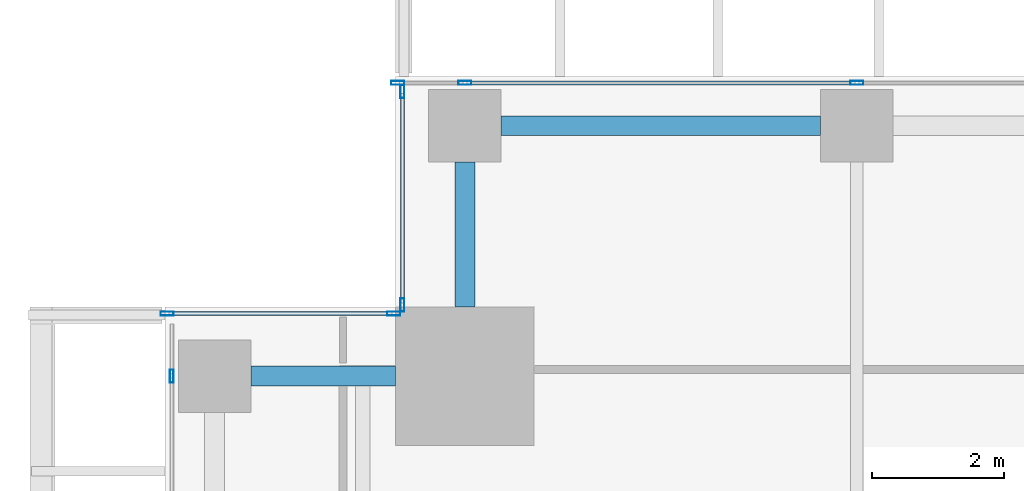
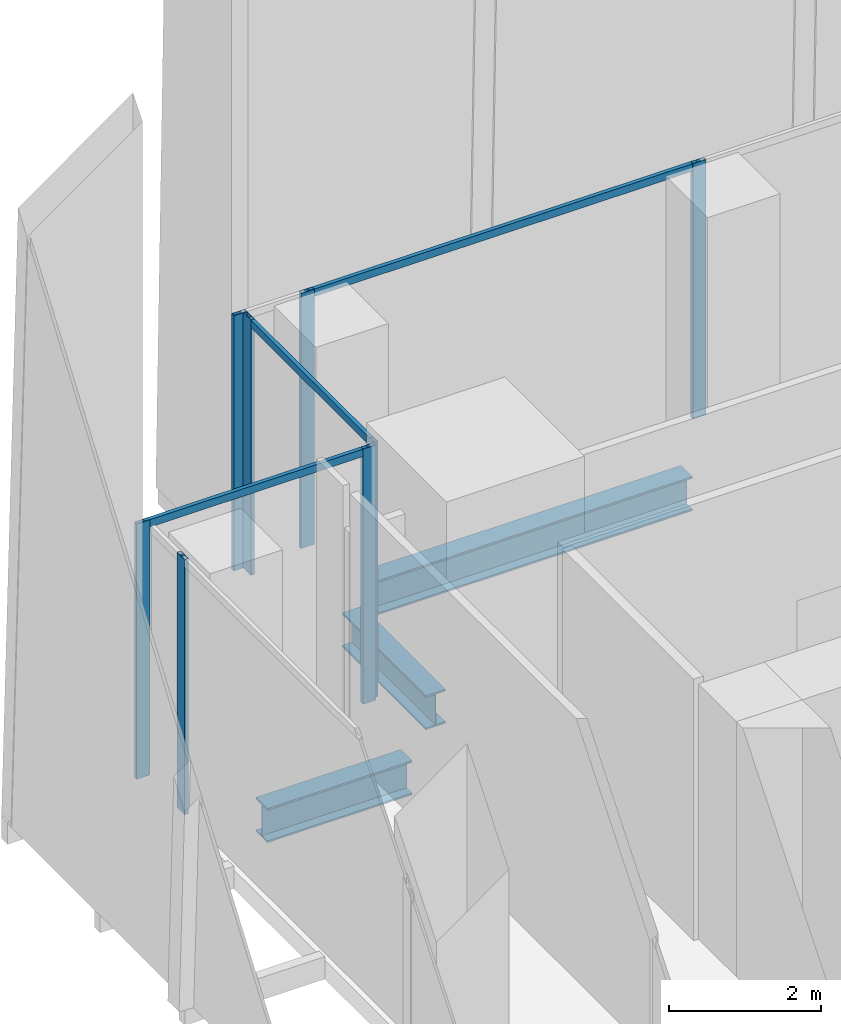
# One storey, part 14 of 35: 11 members, 3 beams, 4 elements without a shape of their own.
"""IFC4 building model written with IfcOpenShell, lengths in metres."""

from ifc_helpers import new_model, si_unit, direction, frame, origin, origin_2d, place, context, subcontext, project, spatial, hollow_rectangle, i_section, extrude, source, transform, mapped, material, material_profile, profile_set, type_object, element, aggregate, save


model = new_model("IFC4")

# Units and contexts
model_context = context("Model", 3, precision=1e-05, world=origin(), true_north=direction((0.0, 1.0)))
body_context = subcontext(model_context, "Body", "Model", "MODEL_VIEW")
ifc_project = project(units=[si_unit("LENGTHUNIT", "METRE"), si_unit("AREAUNIT", "SQUARE_METRE"), si_unit("VOLUMEUNIT", "CUBIC_METRE"), si_unit("PLANEANGLEUNIT", "RADIAN"), si_unit("MASSUNIT", "GRAM", prefix="KILO")], contexts=[model_context])

# Site, building, storey
site_placement = place(None, origin())
site = spatial("IfcSite", under=ifc_project, at=site_placement, CompositionType="ELEMENT")
building_placement = place(site_placement, origin())
building = spatial("IfcBuilding", under=site, at=building_placement, Name="Khomas Fold Tower", CompositionType="ELEMENT")
storey_placement = place(building_placement, frame((0.0, 0.0, 127.89990234375)))
storey = spatial("IfcBuildingStorey", under=building, at=storey_placement, Name="L27", CompositionType="ELEMENT", Elevation=127.89990234375)

# Beams
ifc_material_1 = material(Name="Steel S355", Category="steel")
ifc_material_profile_1 = material_profile(ifc_material_1, i_section(OverallWidth=0.300048828125, OverallDepth=0.550048828125, WebThickness=0.014892578125, FlangeThickness=0.029052734375, at=origin_2d()), Name="HE 550 B")
ifc_profile_set_1 = profile_set([ifc_material_profile_1], Name="Steel S355")
beam_type = type_object("IfcBeamType", Name="HE 550 B spandrel SB2", PredefinedType="SPANDREL", material=ifc_profile_set_1)
shared_shape_1 = source(origin(), body_context, "Body", "SweptSolid", [
    extrude(i_section(OverallWidth=0.300048828125, OverallDepth=0.550048828125, WebThickness=0.014892578125, FlangeThickness=0.029052734375, at=origin_2d()), origin(), (0.0, 0.0, 1.0), 4.849853515625),
])
beam_placement = place(storey_placement, frame((6.60009765625, 51.75, -0.574951171875), z_axis=(1.0, 0.0, 0.0), x_axis=(0.0, 1.0, 0.0)))
element("IfcBeam", 1, at=beam_placement, inside=storey, type_object=beam_type, Name="SB2", PredefinedType="SPANDREL", context=body_context, shape_type="MappedRepresentation", body=[
    mapped(shared_shape_1, transform((0.0, 0.0, 0.0))),
])
shared_shape_2 = source(origin(), body_context, "Body", "SweptSolid", [
    extrude(i_section(OverallWidth=0.300048828125, OverallDepth=0.550048828125, WebThickness=0.014892578125, FlangeThickness=0.029052734375, at=origin_2d()), origin(), (0.0, 0.0, 1.0), 2.199951171875),
])
for number, where, z_axis, x_axis, name in (
    (2, (6.050048828125, 49.0, -0.574951171875), (0.0, 1.0, 0.0), (-1.0, 0.0, 0.0), "SB2"),
    (3, (2.800048828125, 47.949951171875, -0.574951171875), (1.0, 0.0, 0.0), (0.0, 1.0, 0.0), "SB2"),
):
    element("IfcBeam", number, at=place(storey_placement, frame(where, z_axis=z_axis, x_axis=x_axis)), inside=storey, type_object=beam_type, Name=name, PredefinedType="SPANDREL", context=body_context, shape_type="MappedRepresentation", body=[
        mapped(shared_shape_2, transform((0.0, 0.0, 0.0))),
    ])

# Curtain wall, members
ifc_material_2 = material(Name="Aluminium framed double glazing", Category="aluminium")
curtain_wall_type = type_object("IfcCurtainWallType", Name="SK-Unitised clear-glass wall, growing floors CW1", PredefinedType="NOTDEFINED", material=ifc_material_2)
curtain_wall_1_placement = place(storey_placement, origin())
curtain_wall_1 = element("IfcCurtainWall", 4, at=curtain_wall_1_placement, inside=storey, type_object=curtain_wall_type, Name="CW1 run L27 06-0", PredefinedType="NOTDEFINED")
ifc_material_3 = material(Name="Aluminium", Category="aluminium")
ifc_material_profile_2 = material_profile(ifc_material_3, hollow_rectangle(XDim=0.06005859375, YDim=0.199951171875, WallThickness=0.00390625, at=origin_2d()), Name="SK-Unitised clear-glass wall, growing floors mullion CW1-M")
ifc_profile_set_2 = profile_set([ifc_material_profile_2], Name="Aluminium")
member_type_1 = type_object("IfcMemberType", Name="SK-Unitised clear-glass wall, growing floors mullion CW1-M", PredefinedType="MULLION", material=ifc_profile_set_2)
shared_shape_3 = source(origin(), body_context, "Body", "SweptSolid", [
    extrude(hollow_rectangle(XDim=0.06005859375, YDim=0.199951171875, WallThickness=0.00390625, at=origin_2d()), origin(), (0.0, 0.0, 1.0), 4.10009765625),
])
member_1_placement = place(storey_placement, frame((12.0, 52.39990234375, 0.0), z_axis=(0.0, 0.0, 1.0), x_axis=(0.0, -1.0, 0.0)))
member_1 = element("IfcMember", 5, at=member_1_placement, type_object=member_type_1, Name="CW1 mullion 7", PredefinedType="MULLION", context=body_context, shape_type="MappedRepresentation", body=[
    mapped(shared_shape_3, transform((0.0, 0.0, 0.0))),
])
member_2_placement = place(storey_placement, frame((6.050048828125, 52.39990234375, 0.0), z_axis=(0.0, 0.0, 1.0), x_axis=(0.0, -1.0, 0.0)))
member_2 = element("IfcMember", 6, at=member_2_placement, type_object=member_type_1, Name="CW1 mullion 8", PredefinedType="MULLION", context=body_context, shape_type="MappedRepresentation", body=[
    mapped(shared_shape_3, transform((0.0, 0.0, 0.0))),
])
member_3_placement = place(storey_placement, frame((5.030029296875, 52.39990234375, 0.0), z_axis=(0.0, 0.0, 1.0), x_axis=(0.0, -1.0, 0.0)))
member_3 = element("IfcMember", 7, at=member_3_placement, type_object=member_type_1, Name="CW1 mullion 9", PredefinedType="MULLION", context=body_context, shape_type="MappedRepresentation", body=[
    mapped(shared_shape_3, transform((0.0, 0.0, 0.0))),
])

curtain_wall_2_placement = place(storey_placement, origin())
curtain_wall_2 = element("IfcCurtainWall", 8, at=curtain_wall_2_placement, inside=storey, type_object=curtain_wall_type, Name="CW1 corner return L27 07", PredefinedType="NOTDEFINED")
member_4_placement = place(storey_placement, frame((5.10009765625, 52.27001953125, 0.0), z_axis=(0.0, 0.0, 1.0), x_axis=(1.0, 0.0, 0.0)))
member_4 = element("IfcMember", 9, at=member_4_placement, type_object=member_type_1, Name="CW1 mullion 1", PredefinedType="MULLION", context=body_context, shape_type="MappedRepresentation", body=[
    mapped(shared_shape_3, transform((0.0, 0.0, 0.0))),
])
member_5_placement = place(storey_placement, frame((5.10009765625, 49.030029296875, 0.0), z_axis=(0.0, 0.0, 1.0), x_axis=(1.0, 0.0, 0.0)))
member_5 = element("IfcMember", 10, at=member_5_placement, type_object=member_type_1, Name="CW1 mullion 2", PredefinedType="MULLION", context=body_context, shape_type="MappedRepresentation", body=[
    mapped(shared_shape_3, transform((0.0, 0.0, 0.0))),
])

curtain_wall_3_placement = place(storey_placement, origin())
curtain_wall_3 = element("IfcCurtainWall", 11, at=curtain_wall_3_placement, inside=storey, type_object=curtain_wall_type, Name="CW1 corner return L27 08", PredefinedType="NOTDEFINED")
member_6_placement = place(storey_placement, frame((4.969970703125, 48.89990234375, 0.0), z_axis=(0.0, 0.0, 1.0), x_axis=(0.0, -1.0, 0.0)))
member_6 = element("IfcMember", 12, at=member_6_placement, type_object=member_type_1, Name="CW1 mullion 1", PredefinedType="MULLION", context=body_context, shape_type="MappedRepresentation", body=[
    mapped(shared_shape_3, transform((0.0, 0.0, 0.0))),
])
member_7_placement = place(storey_placement, frame((1.530029296875, 48.89990234375, 0.0), z_axis=(0.0, 0.0, 1.0), x_axis=(0.0, -1.0, 0.0)))
member_7 = element("IfcMember", 13, at=member_7_placement, type_object=member_type_1, Name="CW1 mullion 2", PredefinedType="MULLION", context=body_context, shape_type="MappedRepresentation", body=[
    mapped(shared_shape_3, transform((0.0, 0.0, 0.0))),
])

# Curtain wall, member
curtain_wall_4_placement = place(storey_placement, origin())
curtain_wall_4 = element("IfcCurtainWall", 14, at=curtain_wall_4_placement, inside=storey, type_object=curtain_wall_type, Name="CW1 run L27 09-0", PredefinedType="NOTDEFINED")
member_8_placement = place(storey_placement, frame((1.60009765625, 47.949951171875, 0.0), z_axis=(0.0, 0.0, 1.0), x_axis=(1.0, 0.0, 0.0)))
member_8 = element("IfcMember", 15, at=member_8_placement, type_object=member_type_1, Name="CW1 mullion 2", PredefinedType="MULLION", context=body_context, shape_type="MappedRepresentation", body=[
    mapped(shared_shape_3, transform((0.0, 0.0, 0.0))),
])
aggregate(curtain_wall_4, [member_8])

# Member
ifc_material_4 = material(Name="Aluminium", Category="aluminium")
ifc_material_profile_3 = material_profile(ifc_material_4, hollow_rectangle(XDim=0.06005859375, YDim=0.1201171875, WallThickness=0.00390625, at=origin_2d()), Name="SK-Unitised clear-glass wall, growing floors transom CW1-T")
ifc_profile_set_3 = profile_set([ifc_material_profile_3], Name="Aluminium")
member_type_2 = type_object("IfcMemberType", Name="SK-Unitised clear-glass wall, growing floors transom CW1-T", PredefinedType="USERDEFINED", material=ifc_profile_set_3)
shared_shape_4 = source(origin(), body_context, "Body", "SweptSolid", [
    extrude(hollow_rectangle(XDim=0.06005859375, YDim=0.1201171875, WallThickness=0.00390625, at=origin_2d()), origin(), (0.0, 0.0, 1.0), 5.889892578125),
])
member_9_placement = place(storey_placement, frame((11.969970703125, 52.39990234375, 4.0400390625), z_axis=(-1.0, 0.0, 0.0), x_axis=(0.0, -1.0, 0.0)))
member_9 = element("IfcMember", 16, at=member_9_placement, type_object=member_type_2, Name="CW1 transom 7", ObjectType="TRANSOM", PredefinedType="USERDEFINED", context=body_context, shape_type="MappedRepresentation", body=[
    mapped(shared_shape_4, transform((0.0, 0.0, 0.0))),
])

aggregate(curtain_wall_1, [member_1, member_2, member_3, member_9])

shared_shape_5 = source(origin(), body_context, "Body", "SweptSolid", [
    extrude(hollow_rectangle(XDim=0.06005859375, YDim=0.1201171875, WallThickness=0.00390625, at=origin_2d()), origin(), (0.0, 0.0, 1.0), 3.179931640625),
])
member_10_placement = place(storey_placement, frame((5.10009765625, 52.239990234375, 4.0400390625), z_axis=(0.0, -1.0, 0.0), x_axis=(1.0, 0.0, 0.0)))
member_10 = element("IfcMember", 17, at=member_10_placement, type_object=member_type_2, Name="CW1 transom 1", ObjectType="TRANSOM", PredefinedType="USERDEFINED", context=body_context, shape_type="MappedRepresentation", body=[
    mapped(shared_shape_5, transform((0.0, 0.0, 0.0))),
])

aggregate(curtain_wall_2, [member_4, member_5, member_10])

shared_shape_6 = source(origin(), body_context, "Body", "SweptSolid", [
    extrude(hollow_rectangle(XDim=0.06005859375, YDim=0.1201171875, WallThickness=0.00390625, at=origin_2d()), origin(), (0.0, 0.0, 1.0), 3.3798828125),
])
member_11_placement = place(storey_placement, frame((4.93994140625, 48.89990234375, 4.0400390625), z_axis=(-1.0, 0.0, 0.0), x_axis=(0.0, -1.0, 0.0)))
member_11 = element("IfcMember", 18, at=member_11_placement, type_object=member_type_2, Name="CW1 transom 1", ObjectType="TRANSOM", PredefinedType="USERDEFINED", context=body_context, shape_type="MappedRepresentation", body=[
    mapped(shared_shape_6, transform((0.0, 0.0, 0.0))),
])

aggregate(curtain_wall_3, [member_6, member_7, member_11])

save(model, "model.ifc")
